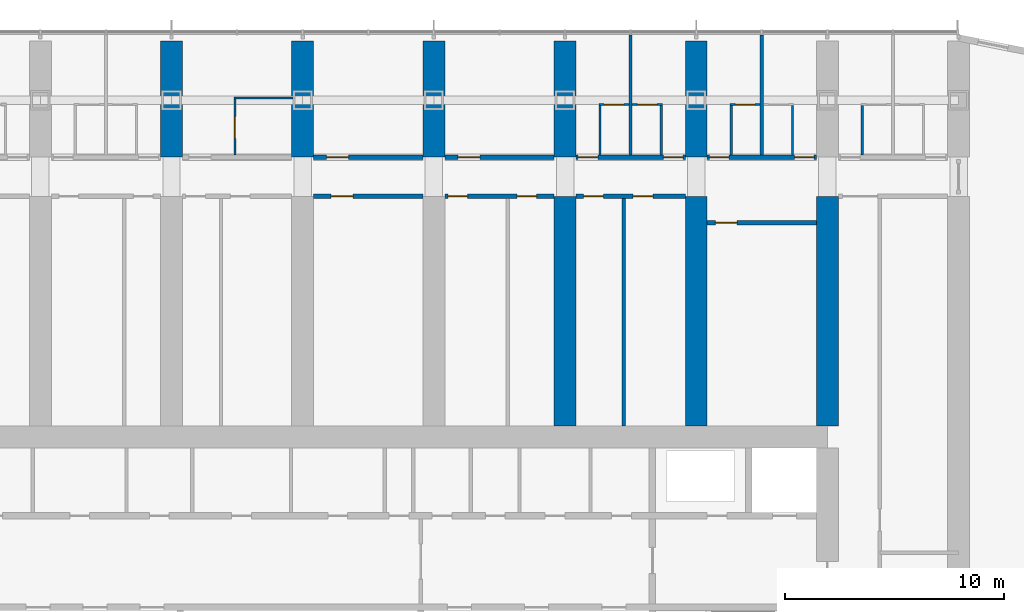
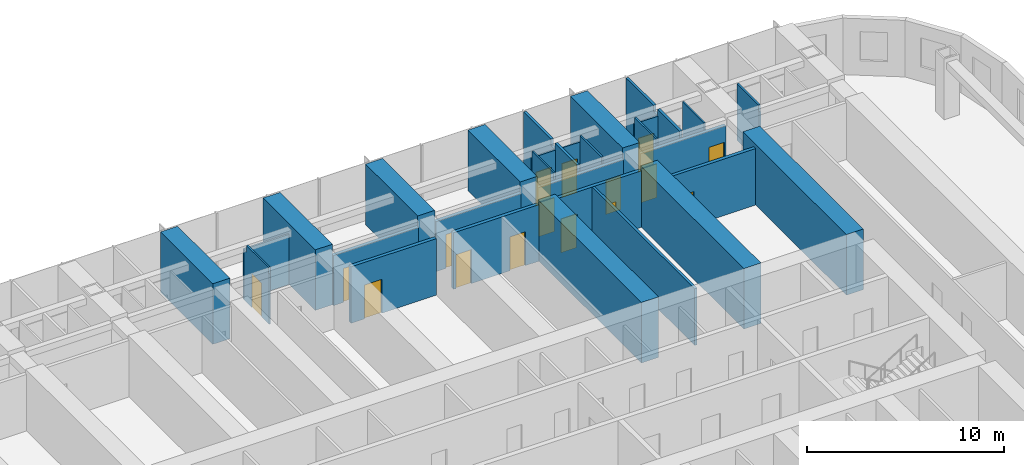
# One storey, part 17 of 25: 29 walls, 16 doors, 16 openings.
"""IFC4 building model written with IfcOpenShell, lengths in metres."""

from ifc_helpers import new_model, si_unit, direction, frame, frame_2d, origin, place, context, subcontext, project, spatial, polyline, rectangle, outline, extrude, material, layer, layer_set, type_object, element, fill, save


model = new_model("IFC4")

# Units and contexts
model_context = context("Model", 3, precision=1e-05, world=origin(), true_north=direction((0.0, 1.0)))
body_context = subcontext(model_context, "Body", "Model", "MODEL_VIEW")
ifc_project = project(units=[si_unit("LENGTHUNIT", "METRE"), si_unit("AREAUNIT", "SQUARE_METRE"), si_unit("VOLUMEUNIT", "CUBIC_METRE"), si_unit("PLANEANGLEUNIT", "RADIAN"), si_unit("MASSUNIT", "GRAM", prefix="KILO")], contexts=[model_context])

# Site, building, storey
site_placement = place(None, origin())
site = spatial("IfcSite", under=ifc_project, at=site_placement, CompositionType="ELEMENT")
building_placement = place(site_placement, origin())
building = spatial("IfcBuilding", under=site, at=building_placement, Name="Orbita Commons", CompositionType="ELEMENT")
storey_placement = place(building_placement, frame((0.0, 0.0, 31.449951171875)))
storey = spatial("IfcBuildingStorey", under=building, at=storey_placement, Name="L07", CompositionType="ELEMENT", Elevation=31.449951171875)

# Wall, opening, door
ifc_material_1 = material(Name="Concrete blockwork", Category="masonry")
ifc_layer_1 = layer(ifc_material_1, 0.199951171875)
ifc_layer_set_1 = layer_set([ifc_layer_1], Name="Concrete blockwork")
wall_type_1 = type_object("IfcWallType", Name="Corridor wall 200 blockwork", PredefinedType="SOLIDWALL", material=ifc_layer_set_1)
wall_1_placement = place(storey_placement, frame((42.5, 51.0, 0.0), z_axis=(0.0, 0.0, 1.0), x_axis=(1.0, 0.0, 0.0)))
wall_1 = element("IfcWall", 1, at=wall_1_placement, inside=storey, type_object=wall_type_1, Name="Corridor wall 200 blockwork L07", PredefinedType="SOLIDWALL", context=body_context, shape_type="SweptSolid", body=[
    extrude(outline(polyline([(0.0, 0.0), (5.0, 0.0), (5.0, 3.10009765625), (0.0, 3.10009765625), (0.0, 0.0)])), frame((0.0, 0.10009765625, 0.0), z_axis=(0.0, -1.0, 0.0), x_axis=(1.0, 0.0, 0.0)), (0.0, 0.0, 1.0), 0.199951171875),
])
opening_1_placement = place(wall_1_placement, frame((0.60009765625, 0.0, 0.0)))
opening_1 = element("IfcOpeningElement", 2, at=opening_1_placement, cuts=wall_1, Name="Opening D06", PredefinedType="OPENING", context=body_context, shape_type="SweptSolid", body=[
    extrude(rectangle(XDim=1.0, YDim=2.10009765625, at=frame_2d((0.5, 1.050048828125))), frame((0.0, 0.10986328125, 0.0), z_axis=(0.0, -1.0, 0.0), x_axis=(1.0, 0.0, 0.0)), (0.0, 0.0, 1.0), 0.219970703125),
])
ifc_material_2 = material(Name="Steel-faced fire door leaf", Category="steel")
door_type_1 = type_object("IfcDoorType", Name="Corridor door 20 min 1000x2100", OperationType="SINGLE_SWING_LEFT", PredefinedType="DOOR", material=ifc_material_2)
door_1_placement = place(opening_1_placement, origin())
door_1 = element("IfcDoor", 3, at=door_1_placement, inside=storey, type_object=door_type_1, Name="House common room L07-N10 door", OperationType="SINGLE_SWING_LEFT", OverallHeight=2.10009765625, OverallWidth=1.0, PredefinedType="DOOR", context=body_context, shape_type="SweptSolid", body=[
    extrude(rectangle(XDim=1.0, YDim=2.10009765625, at=frame_2d((0.5, 1.050048828125))), frame((0.0, 0.02490234375, 0.0), z_axis=(0.0, -1.0, 0.0), x_axis=(1.0, 0.0, 0.0)), (0.0, 0.0, 1.0), 0.050048828125),
])
fill(opening_1, door_1)

wall_2_placement = place(storey_placement, frame((48.5, 51.0, 0.0), z_axis=(0.0, 0.0, 1.0), x_axis=(1.0, 0.0, 0.0)))
wall_2 = element("IfcWall", 4, at=wall_2_placement, inside=storey, type_object=wall_type_1, Name="Corridor wall 200 blockwork L07", PredefinedType="SOLIDWALL", context=body_context, shape_type="SweptSolid", body=[
    extrude(outline(polyline([(0.0, 0.0), (5.0, 0.0), (5.0, 3.10009765625), (0.0, 3.10009765625), (0.0, 0.0)])), frame((0.0, 0.10009765625, 0.0), z_axis=(0.0, -1.0, 0.0), x_axis=(1.0, 0.0, 0.0)), (0.0, 0.0, 1.0), 0.199951171875),
])
opening_2_placement = place(wall_2_placement, frame((0.60009765625, 0.0, 0.0)))
opening_2 = element("IfcOpeningElement", 5, at=opening_2_placement, cuts=wall_2, Name="Opening D06", PredefinedType="OPENING", context=body_context, shape_type="SweptSolid", body=[
    extrude(rectangle(XDim=1.0, YDim=2.10009765625, at=frame_2d((0.5, 1.050048828125))), frame((0.0, 0.10986328125, 0.0), z_axis=(0.0, -1.0, 0.0), x_axis=(1.0, 0.0, 0.0)), (0.0, 0.0, 1.0), 0.219970703125),
])
door_2_placement = place(opening_2_placement, origin())
door_2 = element("IfcDoor", 6, at=door_2_placement, inside=storey, type_object=door_type_1, Name="House kitchen-diner L07-N12 door", OperationType="SINGLE_SWING_LEFT", OverallHeight=2.10009765625, OverallWidth=1.0, PredefinedType="DOOR", context=body_context, shape_type="SweptSolid", body=[
    extrude(rectangle(XDim=1.0, YDim=2.10009765625, at=frame_2d((0.5, 1.050048828125))), frame((0.0, 0.02490234375, 0.0), z_axis=(0.0, -1.0, 0.0), x_axis=(1.0, 0.0, 0.0)), (0.0, 0.0, 1.0), 0.050048828125),
])
fill(opening_2, door_2)

# Wall, openings, doors
wall_3_placement = place(storey_placement, frame((54.5, 51.0, 0.0), z_axis=(0.0, 0.0, 1.0), x_axis=(1.0, 0.0, 0.0)))
wall_3 = element("IfcWall", 7, at=wall_3_placement, inside=storey, type_object=wall_type_1, Name="Corridor wall 200 blockwork L07", PredefinedType="SOLIDWALL", context=body_context, shape_type="SweptSolid", body=[
    extrude(outline(polyline([(0.0, 0.0), (5.0, 0.0), (5.0, 3.10009765625), (0.0, 3.10009765625), (0.0, 0.0)])), frame((0.0, 0.10009765625, 0.0), z_axis=(0.0, -1.0, 0.0), x_axis=(1.0, 0.0, 0.0)), (0.0, 0.0, 1.0), 0.199951171875),
])
opening_3_placement = place(wall_3_placement, frame((0.10009765625, 0.0, 0.0)))
opening_3 = element("IfcOpeningElement", 8, at=opening_3_placement, cuts=wall_3, Name="Opening D11", PredefinedType="OPENING", context=body_context, shape_type="SweptSolid", body=[
    extrude(rectangle(XDim=0.89990234375, YDim=2.10009765625, at=frame_2d((0.449951171875, 1.050048828125))), frame((0.0, 0.10986328125, 0.0), z_axis=(0.0, -1.0, 0.0), x_axis=(1.0, 0.0, 0.0)), (0.0, 0.0, 1.0), 0.219970703125),
])
opening_4_placement = place(wall_3_placement, frame((4.0, 0.0, 0.0)))
opening_4 = element("IfcOpeningElement", 9, at=opening_4_placement, cuts=wall_3, Name="Opening D11", PredefinedType="OPENING", context=body_context, shape_type="SweptSolid", body=[
    extrude(rectangle(XDim=0.89990234375, YDim=2.10009765625, at=frame_2d((0.449951171875, 1.050048828125))), frame((0.0, 0.10986328125, 0.0), z_axis=(0.0, -1.0, 0.0), x_axis=(1.0, 0.0, 0.0)), (0.0, 0.0, 1.0), 0.219970703125),
])
ifc_material_3 = material(Name="Steel-faced fire door leaf", Category="steel")
door_type_2 = type_object("IfcDoorType", Name="Corridor door 20 min 900x2100", OperationType="SINGLE_SWING_LEFT", PredefinedType="DOOR", material=ifc_material_3)
door_3_placement = place(opening_3_placement, origin())
door_3 = element("IfcDoor", 10, at=door_3_placement, inside=storey, type_object=door_type_2, Name="House bedroom L07-N14 door", OperationType="SINGLE_SWING_LEFT", OverallHeight=2.10009765625, OverallWidth=0.89990234375, PredefinedType="DOOR", context=body_context, shape_type="SweptSolid", body=[
    extrude(rectangle(XDim=0.89990234375, YDim=2.10009765625, at=frame_2d((0.449951171875, 1.050048828125))), frame((0.0, 0.02490234375, 0.0), z_axis=(0.0, -1.0, 0.0), x_axis=(1.0, 0.0, 0.0)), (0.0, 0.0, 1.0), 0.050048828125),
])
fill(opening_3, door_3)
door_4_placement = place(opening_4_placement, origin())
door_4 = element("IfcDoor", 11, at=door_4_placement, inside=storey, type_object=door_type_2, Name="House bedroom L07-N15 door", OperationType="SINGLE_SWING_LEFT", OverallHeight=2.10009765625, OverallWidth=0.89990234375, PredefinedType="DOOR", context=body_context, shape_type="SweptSolid", body=[
    extrude(rectangle(XDim=0.89990234375, YDim=2.10009765625, at=frame_2d((0.449951171875, 1.050048828125))), frame((0.0, 0.02490234375, 0.0), z_axis=(0.0, -1.0, 0.0), x_axis=(1.0, 0.0, 0.0)), (0.0, 0.0, 1.0), 0.050048828125),
])
fill(opening_4, door_4)

wall_4_placement = place(storey_placement, frame((60.5, 51.0, 0.0), z_axis=(0.0, 0.0, 1.0), x_axis=(1.0, 0.0, 0.0)))
wall_4 = element("IfcWall", 12, at=wall_4_placement, inside=storey, type_object=wall_type_1, Name="Corridor wall 200 blockwork L07", PredefinedType="SOLIDWALL", context=body_context, shape_type="SweptSolid", body=[
    extrude(outline(polyline([(0.0, 0.0), (5.0, 0.0), (5.0, 3.10009765625), (0.0, 3.10009765625), (0.0, 0.0)])), frame((0.0, 0.10009765625, 0.0), z_axis=(0.0, -1.0, 0.0), x_axis=(1.0, 0.0, 0.0)), (0.0, 0.0, 1.0), 0.199951171875),
])
opening_5_placement = place(wall_4_placement, frame((0.10009765625, 0.0, 0.0)))
opening_5 = element("IfcOpeningElement", 13, at=opening_5_placement, cuts=wall_4, Name="Opening D11", PredefinedType="OPENING", context=body_context, shape_type="SweptSolid", body=[
    extrude(rectangle(XDim=0.89990234375, YDim=2.10009765625, at=frame_2d((0.449951171875, 1.050048828125))), frame((0.0, 0.10986328125, 0.0), z_axis=(0.0, -1.0, 0.0), x_axis=(1.0, 0.0, 0.0)), (0.0, 0.0, 1.0), 0.219970703125),
])
opening_6_placement = place(wall_4_placement, frame((4.0, 0.0, 0.0)))
opening_6 = element("IfcOpeningElement", 14, at=opening_6_placement, cuts=wall_4, Name="Opening D11", PredefinedType="OPENING", context=body_context, shape_type="SweptSolid", body=[
    extrude(rectangle(XDim=0.89990234375, YDim=2.10009765625, at=frame_2d((0.449951171875, 1.050048828125))), frame((0.0, 0.10986328125, 0.0), z_axis=(0.0, -1.0, 0.0), x_axis=(1.0, 0.0, 0.0)), (0.0, 0.0, 1.0), 0.219970703125),
])
door_5_placement = place(opening_5_placement, origin())
door_5 = element("IfcDoor", 15, at=door_5_placement, inside=storey, type_object=door_type_2, Name="House bedroom L07-N16 door", OperationType="SINGLE_SWING_LEFT", OverallHeight=2.10009765625, OverallWidth=0.89990234375, PredefinedType="DOOR", context=body_context, shape_type="SweptSolid", body=[
    extrude(rectangle(XDim=0.89990234375, YDim=2.10009765625, at=frame_2d((0.449951171875, 1.050048828125))), frame((0.0, 0.02490234375, 0.0), z_axis=(0.0, -1.0, 0.0), x_axis=(1.0, 0.0, 0.0)), (0.0, 0.0, 1.0), 0.050048828125),
])
fill(opening_5, door_5)
door_6_placement = place(opening_6_placement, origin())
door_6 = element("IfcDoor", 16, at=door_6_placement, inside=storey, type_object=door_type_2, Name="House bedroom L07-N17 door", OperationType="SINGLE_SWING_LEFT", OverallHeight=2.10009765625, OverallWidth=0.89990234375, PredefinedType="DOOR", context=body_context, shape_type="SweptSolid", body=[
    extrude(rectangle(XDim=0.89990234375, YDim=2.10009765625, at=frame_2d((0.449951171875, 1.050048828125))), frame((0.0, 0.02490234375, 0.0), z_axis=(0.0, -1.0, 0.0), x_axis=(1.0, 0.0, 0.0)), (0.0, 0.0, 1.0), 0.050048828125),
])
fill(opening_6, door_6)

# Wall, opening, door
ifc_material_4 = material(Name="Hollow concrete block 200", Category="concrete")
ifc_layer_2 = layer(ifc_material_4, 0.199951171875)
ifc_layer_set_2 = layer_set([ifc_layer_2], Name="Hollow concrete block 200")
wall_type_2 = type_object("IfcWallType", Name="Corridor wall 200 hollow concrete block", PredefinedType="SOLIDWALL", material=ifc_layer_set_2)
wall_5_placement = place(storey_placement, frame((42.5, 49.199951171875, 0.0), z_axis=(0.0, 0.0, 1.0), x_axis=(1.0, 0.0, 0.0)))
wall_5 = element("IfcWall", 17, at=wall_5_placement, inside=storey, type_object=wall_type_2, Name="Corridor wall 200 hollow concrete block L07", PredefinedType="SOLIDWALL", context=body_context, shape_type="SweptSolid", body=[
    extrude(rectangle(XDim=5.0, YDim=0.199951171875, at=frame_2d((2.5, 0.0))), origin(), (0.0, 0.0, 1.0), 3.5),
])
opening_7_placement = place(wall_5_placement, frame((0.800048828125, 0.0, 0.0)))
opening_7 = element("IfcOpeningElement", 18, at=opening_7_placement, cuts=wall_5, Name="Opening D06", PredefinedType="OPENING", context=body_context, shape_type="SweptSolid", body=[
    extrude(rectangle(XDim=1.0, YDim=2.10009765625, at=frame_2d((0.5, 1.050048828125))), frame((0.0, 0.10986328125, 0.0), z_axis=(0.0, -1.0, 0.0), x_axis=(1.0, 0.0, 0.0)), (0.0, 0.0, 1.0), 0.219970703125),
])
door_7_placement = place(opening_7_placement, origin())
door_7 = element("IfcDoor", 19, at=door_7_placement, inside=storey, type_object=door_type_1, Name="Store L07-BDN42 door", OperationType="SINGLE_SWING_LEFT", OverallHeight=2.10009765625, OverallWidth=1.0, PredefinedType="DOOR", context=body_context, shape_type="SweptSolid", body=[
    extrude(rectangle(XDim=1.0, YDim=2.10009765625, at=frame_2d((0.5, 1.050048828125))), frame((0.0, 0.02490234375, 0.0), z_axis=(0.0, -1.0, 0.0), x_axis=(1.0, 0.0, 0.0)), (0.0, 0.0, 1.0), 0.050048828125),
])
fill(opening_7, door_7)

# Wall, openings, doors
wall_6_placement = place(storey_placement, frame((48.5, 49.199951171875, 0.0), z_axis=(0.0, 0.0, 1.0), x_axis=(1.0, 0.0, 0.0)))
wall_6 = element("IfcWall", 20, at=wall_6_placement, inside=storey, type_object=wall_type_2, Name="Corridor wall 200 hollow concrete block L07", PredefinedType="SOLIDWALL", context=body_context, shape_type="SweptSolid", body=[
    extrude(rectangle(XDim=5.0, YDim=0.199951171875, at=frame_2d((2.5, 0.0))), origin(), (0.0, 0.0, 1.0), 3.5),
])
opening_8_placement = place(wall_6_placement, frame((0.14990234375, 0.0, 0.0)))
opening_8 = element("IfcOpeningElement", 21, at=opening_8_placement, cuts=wall_6, Name="Opening D11", PredefinedType="OPENING", context=body_context, shape_type="SweptSolid", body=[
    extrude(rectangle(XDim=0.89990234375, YDim=2.10009765625, at=frame_2d((0.449951171875, 1.050048828125))), frame((0.0, 0.10986328125, 0.0), z_axis=(0.0, -1.0, 0.0), x_axis=(1.0, 0.0, 0.0)), (0.0, 0.0, 1.0), 0.219970703125),
])
opening_9_placement = place(wall_6_placement, frame((3.304931640625, 0.0, 0.0)))
opening_9 = element("IfcOpeningElement", 22, at=opening_9_placement, cuts=wall_6, Name="Opening D11", PredefinedType="OPENING", context=body_context, shape_type="SweptSolid", body=[
    extrude(rectangle(XDim=0.89990234375, YDim=2.10009765625, at=frame_2d((0.449951171875, 1.050048828125))), frame((0.0, 0.10986328125, 0.0), z_axis=(0.0, -1.0, 0.0), x_axis=(1.0, 0.0, 0.0)), (0.0, 0.0, 1.0), 0.219970703125),
])
door_8_placement = place(opening_8_placement, origin())
door_8 = element("IfcDoor", 23, at=door_8_placement, inside=storey, type_object=door_type_2, Name="Storage lockers L07-BDN48 door", OperationType="SINGLE_SWING_LEFT", OverallHeight=2.10009765625, OverallWidth=0.89990234375, PredefinedType="DOOR", context=body_context, shape_type="SweptSolid", body=[
    extrude(rectangle(XDim=0.89990234375, YDim=2.10009765625, at=frame_2d((0.449951171875, 1.050048828125))), frame((0.0, 0.02490234375, 0.0), z_axis=(0.0, -1.0, 0.0), x_axis=(1.0, 0.0, 0.0)), (0.0, 0.0, 1.0), 0.050048828125),
])
fill(opening_8, door_8)
door_9_placement = place(opening_9_placement, origin())
door_9 = element("IfcDoor", 24, at=door_9_placement, inside=storey, type_object=door_type_2, Name="Water heater cupboard L07-BDN48n door", OperationType="SINGLE_SWING_LEFT", OverallHeight=2.10009765625, OverallWidth=0.89990234375, PredefinedType="DOOR", context=body_context, shape_type="SweptSolid", body=[
    extrude(rectangle(XDim=0.89990234375, YDim=2.10009765625, at=frame_2d((0.449951171875, 1.050048828125))), frame((0.0, 0.02490234375, 0.0), z_axis=(0.0, -1.0, 0.0), x_axis=(1.0, 0.0, 0.0)), (0.0, 0.0, 1.0), 0.050048828125),
])
fill(opening_9, door_9)

wall_7_placement = place(storey_placement, frame((54.5, 49.199951171875, 0.0), z_axis=(0.0, 0.0, 1.0), x_axis=(1.0, 0.0, 0.0)))
wall_7 = element("IfcWall", 25, at=wall_7_placement, inside=storey, type_object=wall_type_2, Name="Corridor wall 200 hollow concrete block L07", PredefinedType="SOLIDWALL", context=body_context, shape_type="SweptSolid", body=[
    extrude(rectangle(XDim=5.0, YDim=0.199951171875, at=frame_2d((2.5, 0.0))), origin(), (0.0, 0.0, 1.0), 3.5),
])
opening_10_placement = place(wall_7_placement, frame((0.35009765625, 0.0, 0.0)))
opening_10 = element("IfcOpeningElement", 26, at=opening_10_placement, cuts=wall_7, Name="Opening D11", PredefinedType="OPENING", context=body_context, shape_type="SweptSolid", body=[
    extrude(rectangle(XDim=0.89990234375, YDim=2.10009765625, at=frame_2d((0.449951171875, 1.050048828125))), frame((0.0, 0.10986328125, 0.0), z_axis=(0.0, -1.0, 0.0), x_axis=(1.0, 0.0, 0.0)), (0.0, 0.0, 1.0), 0.219970703125),
])
opening_11_placement = place(wall_7_placement, frame((2.614990234375, 0.0, 0.0)))
opening_11 = element("IfcOpeningElement", 27, at=opening_11_placement, cuts=wall_7, Name="Opening D11", PredefinedType="OPENING", context=body_context, shape_type="SweptSolid", body=[
    extrude(rectangle(XDim=0.89990234375, YDim=2.10009765625, at=frame_2d((0.449951171875, 1.050048828125))), frame((0.0, 0.10986328125, 0.0), z_axis=(0.0, -1.0, 0.0), x_axis=(1.0, 0.0, 0.0)), (0.0, 0.0, 1.0), 0.219970703125),
])
door_10_placement = place(opening_10_placement, origin())
door_10 = element("IfcDoor", 28, at=door_10_placement, inside=storey, type_object=door_type_2, Name="Battery and UPS room L07-BDN54n door", OperationType="SINGLE_SWING_LEFT", OverallHeight=2.10009765625, OverallWidth=0.89990234375, PredefinedType="DOOR", context=body_context, shape_type="SweptSolid", body=[
    extrude(rectangle(XDim=0.89990234375, YDim=2.10009765625, at=frame_2d((0.449951171875, 1.050048828125))), frame((0.0, 0.02490234375, 0.0), z_axis=(0.0, -1.0, 0.0), x_axis=(1.0, 0.0, 0.0)), (0.0, 0.0, 1.0), 0.050048828125),
])
fill(opening_10, door_10)
door_11_placement = place(opening_11_placement, origin())
door_11 = element("IfcDoor", 29, at=door_11_placement, inside=storey, type_object=door_type_2, Name="Ventilation plant room south L07-BDN54 door", OperationType="SINGLE_SWING_LEFT", OverallHeight=2.10009765625, OverallWidth=0.89990234375, PredefinedType="DOOR", context=body_context, shape_type="SweptSolid", body=[
    extrude(rectangle(XDim=0.89990234375, YDim=2.10009765625, at=frame_2d((0.449951171875, 1.050048828125))), frame((0.0, 0.02490234375, 0.0), z_axis=(0.0, -1.0, 0.0), x_axis=(1.0, 0.0, 0.0)), (0.0, 0.0, 1.0), 0.050048828125),
])
fill(opening_11, door_11)

# Wall, opening, door
wall_8_placement = place(storey_placement, frame((60.5, 48.0, 0.0), z_axis=(0.0, 0.0, 1.0), x_axis=(1.0, 0.0, 0.0)))
wall_8 = element("IfcWall", 30, at=wall_8_placement, inside=storey, type_object=wall_type_2, Name="Corridor wall 200 hollow concrete block L07", PredefinedType="SOLIDWALL", context=body_context, shape_type="SweptSolid", body=[
    extrude(rectangle(XDim=5.0, YDim=0.199951171875, at=frame_2d((2.5, 0.0))), origin(), (0.0, 0.0, 1.0), 3.5),
])
opening_12_placement = place(wall_8_placement, frame((0.375, 0.0, 0.0)))
opening_12 = element("IfcOpeningElement", 31, at=opening_12_placement, cuts=wall_8, Name="Opening D06", PredefinedType="OPENING", context=body_context, shape_type="SweptSolid", body=[
    extrude(rectangle(XDim=1.0, YDim=2.10009765625, at=frame_2d((0.5, 1.050048828125))), frame((0.0, 0.10986328125, 0.0), z_axis=(0.0, -1.0, 0.0), x_axis=(1.0, 0.0, 0.0)), (0.0, 0.0, 1.0), 0.219970703125),
])
door_12_placement = place(opening_12_placement, origin())
door_12 = element("IfcDoor", 32, at=door_12_placement, inside=storey, type_object=door_type_1, Name="Refuse and recycling room L07-BDN60 door", OperationType="SINGLE_SWING_LEFT", OverallHeight=2.10009765625, OverallWidth=1.0, PredefinedType="DOOR", context=body_context, shape_type="SweptSolid", body=[
    extrude(rectangle(XDim=1.0, YDim=2.10009765625, at=frame_2d((0.5, 1.050048828125))), frame((0.0, 0.02490234375, 0.0), z_axis=(0.0, -1.0, 0.0), x_axis=(1.0, 0.0, 0.0)), (0.0, 0.0, 1.0), 0.050048828125),
])
fill(opening_12, door_12)

# Walls
ifc_material_5 = material(Name="Concrete C50/60", Category="concrete")
ifc_layer_3 = layer(ifc_material_5, 1.0)
ifc_layer_set_3 = layer_set([ifc_layer_3], Name="Concrete C50/60")
wall_type_3 = type_object("IfcWallType", Name="Cross wall 1000 C50/60", PredefinedType="SHEAR", material=ifc_layer_set_3)
for number, where, z_axis, x_axis, name in (
    (33, (36.0, 51.0, 0.0), (0.0, 0.0, 1.0), (0.0, 1.0, 0.0), "Cross wall 7 north outer L07"),
    (34, (42.0, 51.0, 0.0), (0.0, 0.0, 1.0), (0.0, 1.0, 0.0), "Cross wall 8 north outer L07"),
    (35, (48.0, 51.0, 0.0), (0.0, 0.0, 1.0), (0.0, 1.0, 0.0), "Cross wall 9 north outer L07"),
    (36, (54.0, 51.0, 0.0), (0.0, 0.0, 1.0), (0.0, 1.0, 0.0), "Cross wall 10 north outer L07"),
):
    element("IfcWall", number, at=place(storey_placement, frame(where, z_axis=z_axis, x_axis=x_axis)), inside=storey, type_object=wall_type_3, Name=name, PredefinedType="SHEAR", context=body_context, shape_type="SweptSolid", body=[
        extrude(rectangle(XDim=5.300048828125, YDim=1.0, at=frame_2d((2.64990234375, 0.0))), origin(), (0.0, 0.0, 1.0), 3.75),
    ])
wall_9_placement = place(storey_placement, frame((54.0, 38.699951171875, 0.0), z_axis=(0.0, 0.0, 1.0), x_axis=(0.0, 1.0, 0.0)))
element("IfcWall", 37, at=wall_9_placement, inside=storey, type_object=wall_type_3, Name="Cross wall 10 north inner L07", PredefinedType="SHEAR", context=body_context, shape_type="SweptSolid", body=[
    extrude(rectangle(XDim=10.5, YDim=1.0, at=frame_2d((5.25, 0.0))), origin(), (0.0, 0.0, 1.0), 3.75),
])
wall_10_placement = place(storey_placement, frame((60.0, 51.0, 0.0), z_axis=(0.0, 0.0, 1.0), x_axis=(0.0, 1.0, 0.0)))
element("IfcWall", 38, at=wall_10_placement, inside=storey, type_object=wall_type_3, Name="Cross wall 11 north outer L07", PredefinedType="SHEAR", context=body_context, shape_type="SweptSolid", body=[
    extrude(rectangle(XDim=5.300048828125, YDim=1.0, at=frame_2d((2.64990234375, 0.0))), origin(), (0.0, 0.0, 1.0), 3.75),
])
for number, where, z_axis, x_axis, name in (
    (39, (60.0, 38.699951171875, 0.0), (0.0, 0.0, 1.0), (0.0, 1.0, 0.0), "Cross wall 11 north inner L07"),
    (40, (66.0, 38.699951171875, 0.0), (0.0, 0.0, 1.0), (0.0, 1.0, 0.0), "Cross wall 12 north inner L07"),
):
    element("IfcWall", number, at=place(storey_placement, frame(where, z_axis=z_axis, x_axis=x_axis)), inside=storey, type_object=wall_type_3, Name=name, PredefinedType="SHEAR", context=body_context, shape_type="SweptSolid", body=[
        extrude(rectangle(XDim=10.5, YDim=1.0, at=frame_2d((5.25, 0.0))), origin(), (0.0, 0.0, 1.0), 3.75),
    ])
ifc_material_6 = material(Name="Moisture-resistant plasterboard on steel studs", Category="steel")
ifc_layer_4 = layer(ifc_material_6, 0.10009765625)
ifc_layer_set_4 = layer_set([ifc_layer_4], Name="Moisture-resistant plasterboard on steel studs")
wall_type_4 = type_object("IfcWallType", Name="En-suite partition 100", PredefinedType="PARTITIONING", material=ifc_layer_set_4)
wall_11_placement = place(storey_placement, frame((38.85009765625, 53.699951171875, 0.0), z_axis=(0.0, 0.0, 1.0), x_axis=(1.0, 0.0, 0.0)))
element("IfcWall", 41, at=wall_11_placement, inside=storey, type_object=wall_type_4, Name="En-suite partition 100 L07", PredefinedType="PARTITIONING", context=body_context, shape_type="SweptSolid", body=[
    extrude(outline(polyline([(0.0, 0.0), (2.699951171875, 0.0), (2.699951171875, 3.10009765625), (0.0, 3.10009765625), (0.0, 0.0)])), frame((0.0, 0.050048828125, 0.0), z_axis=(0.0, -1.0, 0.0), x_axis=(1.0, 0.0, 0.0)), (0.0, 0.0, 1.0), 0.10009765625),
])

# Wall, opening, door
wall_12_placement = place(storey_placement, frame((38.89990234375, 53.64990234375, 0.0), z_axis=(0.0, 0.0, 1.0), x_axis=(0.0, -1.0, 0.0)))
wall_12 = element("IfcWall", 42, at=wall_12_placement, inside=storey, type_object=wall_type_4, Name="En-suite partition 100 L07", PredefinedType="PARTITIONING", context=body_context, shape_type="SweptSolid", body=[
    extrude(outline(polyline([(0.0, 0.0), (2.5498046875, 0.0), (2.550048828125, 3.10009765625), (2.501953125, 3.10009765625), (2.5, 3.5), (0.251953125, 3.5), (0.25, 3.10009765625), (0.0, 3.10009765625), (0.0, 0.0)])), frame((0.0, 0.050048828125, 0.0), z_axis=(0.0, -1.0, 0.0), x_axis=(1.0, 0.0, 0.0)), (0.0, 0.0, 1.0), 0.10009765625),
])
opening_13_placement = place(wall_12_placement, frame((0.800048828125, 0.0, 0.0)))
opening_13 = element("IfcOpeningElement", 43, at=opening_13_placement, cuts=wall_12, Name="Opening D13", PredefinedType="OPENING", context=body_context, shape_type="SweptSolid", body=[
    extrude(rectangle(XDim=1.0, YDim=2.10009765625, at=frame_2d((0.5, 1.050048828125))), frame((0.0, 0.06005859375, 0.0), z_axis=(0.0, -1.0, 0.0), x_axis=(1.0, 0.0, 0.0)), (0.0, 0.0, 1.0), 0.1201171875),
])
ifc_material_7 = material(Name="Laminated timber door leaf", Category="wood")
door_type_3 = type_object("IfcDoorType", Name="En-suite door 1000x2100", OperationType="SINGLE_SWING_RIGHT", PredefinedType="DOOR", material=ifc_material_7)
door_13_placement = place(opening_13_placement, origin())
door_13 = element("IfcDoor", 44, at=door_13_placement, inside=storey, type_object=door_type_3, Name="Accessible shower room L07-N08 door", OperationType="SINGLE_SWING_RIGHT", OverallHeight=2.10009765625, OverallWidth=1.0, PredefinedType="DOOR", context=body_context, shape_type="SweptSolid", body=[
    extrude(rectangle(XDim=1.0, YDim=2.10009765625, at=frame_2d((0.5, 1.050048828125))), frame((0.0, 0.02490234375, 0.0), z_axis=(0.0, -1.0, 0.0), x_axis=(1.0, 0.0, 0.0)), (0.0, 0.0, 1.0), 0.050048828125),
])
fill(opening_13, door_13)

wall_13_placement = place(storey_placement, frame((55.550048828125, 53.40185546875, 0.0), z_axis=(0.0, 0.0, 1.0), x_axis=(1.0, 0.0, 0.0)))
wall_13 = element("IfcWall", 45, at=wall_13_placement, inside=storey, type_object=wall_type_4, Name="En-suite partition 100 L07", PredefinedType="PARTITIONING", context=body_context, shape_type="SweptSolid", body=[
    extrude(outline(polyline([(0.0, 0.0), (1.375, 0.0), (1.375, 3.10009765625), (0.0, 3.10009765625), (0.0, 0.0)])), frame((0.0, 0.050048828125, 0.0), z_axis=(0.0, -1.0, 0.0), x_axis=(1.0, 0.0, 0.0)), (0.0, 0.0, 1.0), 0.10009765625),
])
opening_14_placement = place(wall_13_placement, frame((0.237548828125, 0.0, 0.0)))
opening_14 = element("IfcOpeningElement", 46, at=opening_14_placement, cuts=wall_13, Name="Opening D09", PredefinedType="OPENING", context=body_context, shape_type="SweptSolid", body=[
    extrude(rectangle(XDim=0.89990234375, YDim=2.10009765625, at=frame_2d((0.449951171875, 1.050048828125))), frame((0.0, 0.06005859375, 0.0), z_axis=(0.0, -1.0, 0.0), x_axis=(1.0, 0.0, 0.0)), (0.0, 0.0, 1.0), 0.1201171875),
])
ifc_material_8 = material(Name="Laminated timber door leaf", Category="wood")
door_type_4 = type_object("IfcDoorType", Name="En-suite door 900x2100", OperationType="SINGLE_SWING_RIGHT", PredefinedType="DOOR", material=ifc_material_8)
door_14_placement = place(opening_14_placement, origin())
door_14 = element("IfcDoor", 47, at=door_14_placement, inside=storey, type_object=door_type_4, Name="En-suite L07-N14 door", OperationType="SINGLE_SWING_RIGHT", OverallHeight=2.10009765625, OverallWidth=0.89990234375, PredefinedType="DOOR", context=body_context, shape_type="SweptSolid", body=[
    extrude(rectangle(XDim=0.89990234375, YDim=2.10009765625, at=frame_2d((0.449951171875, 1.050048828125))), frame((0.0, 0.02490234375, 0.0), z_axis=(0.0, -1.0, 0.0), x_axis=(1.0, 0.0, 0.0)), (0.0, 0.0, 1.0), 0.050048828125),
])
fill(opening_14, door_14)

# Wall
wall_14_placement = place(storey_placement, frame((55.60009765625, 53.351806640625, 0.0), z_axis=(0.0, 0.0, 1.0), x_axis=(0.0, -1.0, 0.0)))
element("IfcWall", 48, at=wall_14_placement, inside=storey, type_object=wall_type_4, Name="En-suite partition 100 L07", PredefinedType="PARTITIONING", context=body_context, shape_type="SweptSolid", body=[
    extrude(outline(polyline([(0.0, 0.0), (2.251708984375, 0.0), (2.251953125, 3.10009765625), (2.203857421875, 3.10009765625), (2.201904296875, 3.5), (0.0, 3.5), (0.0, 0.0)])), frame((0.0, 0.050048828125, 0.0), z_axis=(0.0, -1.0, 0.0), x_axis=(1.0, 0.0, 0.0)), (0.0, 0.0, 1.0), 0.10009765625),
])

# Wall, opening, door
wall_15_placement = place(storey_placement, frame((57.074951171875, 53.40185546875, 0.0), z_axis=(0.0, 0.0, 1.0), x_axis=(1.0, 0.0, 0.0)))
wall_15 = element("IfcWall", 49, at=wall_15_placement, inside=storey, type_object=wall_type_4, Name="En-suite partition 100 L07", PredefinedType="PARTITIONING", context=body_context, shape_type="SweptSolid", body=[
    extrude(outline(polyline([(0.0, 0.0), (1.375, 0.0), (1.375, 3.10009765625), (0.0, 3.10009765625), (0.0, 0.0)])), frame((0.0, 0.050048828125, 0.0), z_axis=(0.0, -1.0, 0.0), x_axis=(1.0, 0.0, 0.0)), (0.0, 0.0, 1.0), 0.10009765625),
])
opening_15_placement = place(wall_15_placement, frame((0.237548828125, 0.0, 0.0)))
opening_15 = element("IfcOpeningElement", 50, at=opening_15_placement, cuts=wall_15, Name="Opening D09", PredefinedType="OPENING", context=body_context, shape_type="SweptSolid", body=[
    extrude(rectangle(XDim=0.89990234375, YDim=2.10009765625, at=frame_2d((0.449951171875, 1.050048828125))), frame((0.0, 0.06005859375, 0.0), z_axis=(0.0, -1.0, 0.0), x_axis=(1.0, 0.0, 0.0)), (0.0, 0.0, 1.0), 0.1201171875),
])
door_15_placement = place(opening_15_placement, origin())
door_15 = element("IfcDoor", 51, at=door_15_placement, inside=storey, type_object=door_type_4, Name="En-suite L07-N15 door", OperationType="SINGLE_SWING_RIGHT", OverallHeight=2.10009765625, OverallWidth=0.89990234375, PredefinedType="DOOR", context=body_context, shape_type="SweptSolid", body=[
    extrude(rectangle(XDim=0.89990234375, YDim=2.10009765625, at=frame_2d((0.449951171875, 1.050048828125))), frame((0.0, 0.02490234375, 0.0), z_axis=(0.0, -1.0, 0.0), x_axis=(1.0, 0.0, 0.0)), (0.0, 0.0, 1.0), 0.050048828125),
])
fill(opening_15, door_15)

# Wall
wall_16_placement = place(storey_placement, frame((58.39990234375, 53.351806640625, 0.0), z_axis=(0.0, 0.0, 1.0), x_axis=(0.0, -1.0, 0.0)))
element("IfcWall", 52, at=wall_16_placement, inside=storey, type_object=wall_type_4, Name="En-suite partition 100 L07", PredefinedType="PARTITIONING", context=body_context, shape_type="SweptSolid", body=[
    extrude(outline(polyline([(0.0, 0.0), (2.251708984375, 0.0), (2.251953125, 3.10009765625), (2.203857421875, 3.10009765625), (2.201904296875, 3.5), (0.0, 3.5), (0.0, 0.0)])), frame((0.0, 0.050048828125, 0.0), z_axis=(0.0, -1.0, 0.0), x_axis=(1.0, 0.0, 0.0)), (0.0, 0.0, 1.0), 0.10009765625),
])

# Wall, opening, door
wall_17_placement = place(storey_placement, frame((61.550048828125, 53.40185546875, 0.0), z_axis=(0.0, 0.0, 1.0), x_axis=(1.0, 0.0, 0.0)))
wall_17 = element("IfcWall", 53, at=wall_17_placement, inside=storey, type_object=wall_type_4, Name="En-suite partition 100 L07", PredefinedType="PARTITIONING", context=body_context, shape_type="SweptSolid", body=[
    extrude(outline(polyline([(0.0, 0.0), (1.375, 0.0), (1.375, 3.10009765625), (0.0, 3.10009765625), (0.0, 0.0)])), frame((0.0, 0.050048828125, 0.0), z_axis=(0.0, -1.0, 0.0), x_axis=(1.0, 0.0, 0.0)), (0.0, 0.0, 1.0), 0.10009765625),
])
opening_16_placement = place(wall_17_placement, frame((0.237548828125, 0.0, 0.0)))
opening_16 = element("IfcOpeningElement", 54, at=opening_16_placement, cuts=wall_17, Name="Opening D09", PredefinedType="OPENING", context=body_context, shape_type="SweptSolid", body=[
    extrude(rectangle(XDim=0.89990234375, YDim=2.10009765625, at=frame_2d((0.449951171875, 1.050048828125))), frame((0.0, 0.06005859375, 0.0), z_axis=(0.0, -1.0, 0.0), x_axis=(1.0, 0.0, 0.0)), (0.0, 0.0, 1.0), 0.1201171875),
])
door_16_placement = place(opening_16_placement, origin())
door_16 = element("IfcDoor", 55, at=door_16_placement, inside=storey, type_object=door_type_4, Name="En-suite L07-N16 door", OperationType="SINGLE_SWING_RIGHT", OverallHeight=2.10009765625, OverallWidth=0.89990234375, PredefinedType="DOOR", context=body_context, shape_type="SweptSolid", body=[
    extrude(rectangle(XDim=0.89990234375, YDim=2.10009765625, at=frame_2d((0.449951171875, 1.050048828125))), frame((0.0, 0.02490234375, 0.0), z_axis=(0.0, -1.0, 0.0), x_axis=(1.0, 0.0, 0.0)), (0.0, 0.0, 1.0), 0.050048828125),
])
fill(opening_16, door_16)

# Walls
for number, where, z_axis, x_axis, name in (
    (56, (61.60009765625, 53.351806640625, 0.0), (0.0, 0.0, 1.0), (0.0, -1.0, 0.0), "En-suite partition 100 L07"),
    (57, (64.39990234375, 53.351806640625, 0.0), (0.0, 0.0, 1.0), (0.0, -1.0, 0.0), "En-suite partition 100 L07"),
    (58, (67.60009765625, 53.351806640625, 0.0), (0.0, 0.0, 1.0), (0.0, -1.0, 0.0), "En-suite partition 100 L07"),
):
    element("IfcWall", number, at=place(storey_placement, frame(where, z_axis=z_axis, x_axis=x_axis)), inside=storey, type_object=wall_type_4, Name=name, PredefinedType="PARTITIONING", context=body_context, shape_type="SweptSolid", body=[
        extrude(outline(polyline([(0.0, 0.0), (2.251708984375, 0.0), (2.251953125, 3.10009765625), (2.203857421875, 3.10009765625), (2.201904296875, 3.5), (0.0, 3.5), (0.0, 0.0)])), frame((0.0, 0.050048828125, 0.0), z_axis=(0.0, -1.0, 0.0), x_axis=(1.0, 0.0, 0.0)), (0.0, 0.0, 1.0), 0.10009765625),
    ])
ifc_material_9 = material(Name="Gypsum plasterboard on steel studs", Category="steel")
ifc_layer_5 = layer(ifc_material_9, 0.14990234375)
ifc_layer_set_5 = layer_set([ifc_layer_5], Name="Gypsum plasterboard on steel studs")
wall_type_5 = type_object("IfcWallType", Name="Partition 150 plasterboard", PredefinedType="PARTITIONING", material=ifc_layer_set_5)
wall_18_placement = place(storey_placement, frame((56.68994140625, 38.699951171875, 0.0), z_axis=(0.0, 0.0, 1.0), x_axis=(0.0, 1.0, 0.0)))
element("IfcWall", 59, at=wall_18_placement, inside=storey, type_object=wall_type_5, Name="Partition 150 plasterboard L07", PredefinedType="PARTITIONING", context=body_context, shape_type="SweptSolid", body=[
    extrude(rectangle(XDim=10.400146484375, YDim=0.14990234375, at=frame_2d((5.2001953125, 0.0))), origin(), (0.0, 0.0, 1.0), 3.5),
])
ifc_material_10 = material(Name="Gypsum plasterboard on steel studs", Category="steel")
ifc_layer_6 = layer(ifc_material_10, 0.14990234375)
ifc_layer_set_6 = layer_set([ifc_layer_6], Name="Gypsum plasterboard on steel studs")
wall_type_6 = type_object("IfcWallType", Name="Party wall 150 plasterboard", PredefinedType="PARTITIONING", material=ifc_layer_set_6)
for number, where, z_axis, x_axis, name in (
    (60, (57.0, 56.590087890625, 0.0), (0.0, 0.0, 1.0), (0.0, -1.0, 0.0), "Party wall 150 plasterboard L07"),
    (61, (63.0, 56.590087890625, 0.0), (0.0, 0.0, 1.0), (0.0, -1.0, 0.0), "Party wall 150 plasterboard L07"),
):
    element("IfcWall", number, at=place(storey_placement, frame(where, z_axis=z_axis, x_axis=x_axis)), inside=storey, type_object=wall_type_6, Name=name, PredefinedType="PARTITIONING", context=body_context, shape_type="SweptSolid", body=[
        extrude(outline(polyline([(0.0, 0.0), (5.489990234375, 0.0), (5.489990234375, 3.10009765625), (5.44189453125, 3.10009765625), (5.43994140625, 3.5), (3.19189453125, 3.5), (3.18994140625, 3.10009765625), (2.7919921875, 3.10009765625), (2.7900390625, 3.5), (0.0, 3.5), (0.0, 0.0)])), frame((0.0, 0.074951171875, 0.0), z_axis=(0.0, -1.0, 0.0), x_axis=(1.0, 0.0, 0.0)), (0.0, 0.0, 1.0), 0.14990234375),
    ])

save(model, "model.ifc")
